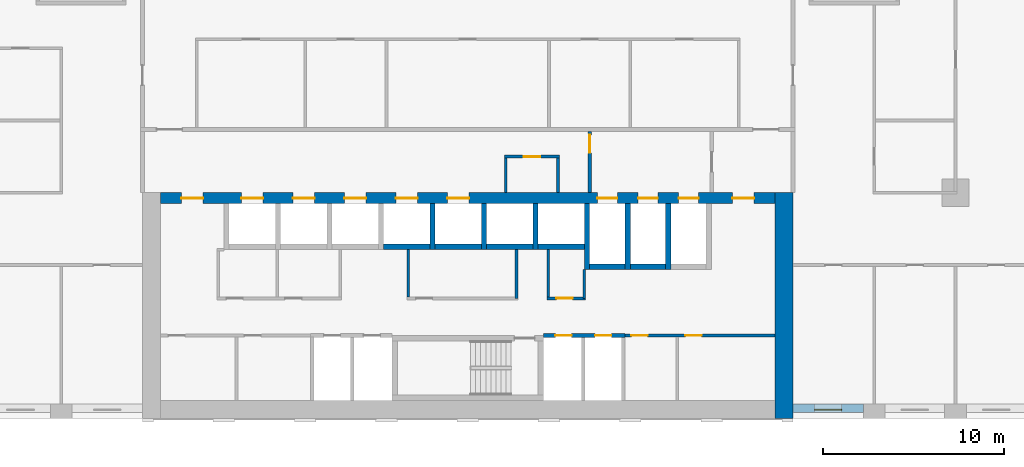
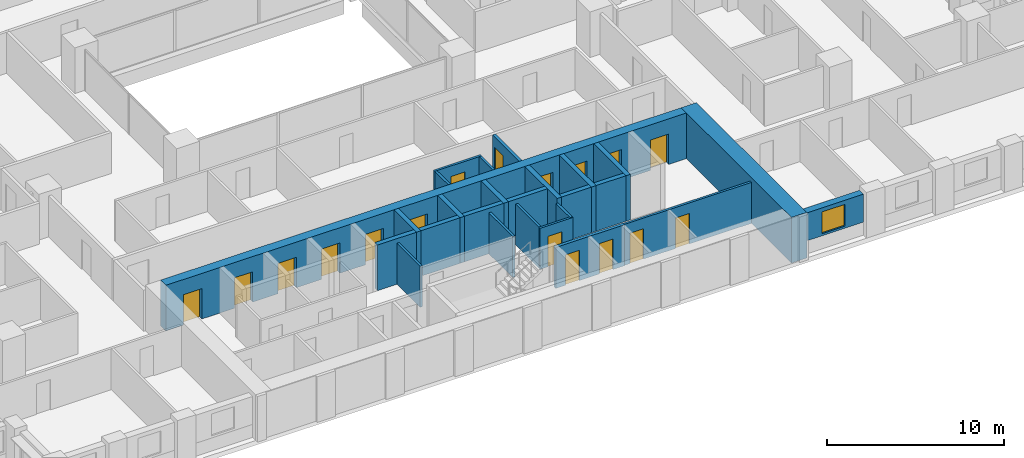
# One storey, part 11 of 20: 26 walls, 17 doors, 1 window, 18 openings.
"""IFC4 building model written with IfcOpenShell, lengths in metres."""

from ifc_helpers import new_model, si_unit, direction, frame, frame_2d, origin, place, context, subcontext, project, spatial, rectangle, extrude, material, layer, layer_set, type_object, element, fill, save


model = new_model("IFC4")

# Units and contexts
model_context = context("Model", 3, precision=1e-05, world=origin(), true_north=direction((0.0, 1.0)))
body_context = subcontext(model_context, "Body", "Model", "MODEL_VIEW")
ifc_project = project(units=[si_unit("LENGTHUNIT", "METRE"), si_unit("AREAUNIT", "SQUARE_METRE"), si_unit("VOLUMEUNIT", "CUBIC_METRE"), si_unit("PLANEANGLEUNIT", "RADIAN"), si_unit("MASSUNIT", "GRAM", prefix="KILO")], contexts=[model_context])

# Site, building, storey
site_placement = place(None, origin())
site = spatial("IfcSite", under=ifc_project, at=site_placement, CompositionType="ELEMENT")
building_placement = place(site_placement, origin())
building = spatial("IfcBuilding", under=site, at=building_placement, Name="Brigalow Station Residences", CompositionType="ELEMENT")
storey_placement = place(building_placement, frame((0.0, 0.0, 44.699951171875)))
storey = spatial("IfcBuildingStorey", under=building, at=storey_placement, Name="L12", CompositionType="ELEMENT", Elevation=44.699951171875)

# Wall, opening, window
ifc_material_1 = material(Name="Clay brick masonry", Category="masonry")
ifc_layer_1 = layer(ifc_material_1, 0.449951171875)
ifc_layer_set_1 = layer_set([ifc_layer_1], Name="BRICK INFILL WALL 450")
wall_type_1 = type_object("IfcWallType", Name="BRICK INFILL WALL 450", PredefinedType="SOLIDWALL", material=ifc_layer_set_1)
wall_1_placement = place(storey_placement, frame((54.0, 0.574951171875, 0.900146484375), z_axis=(0.0, 0.0, 1.0), x_axis=(1.0, 0.0, 0.0)))
wall_1 = element("IfcWall", 1, at=wall_1_placement, inside=storey, type_object=wall_type_1, Name="L12/ewall/W-L12-5", PredefinedType="SOLIDWALL", context=body_context, shape_type="SweptSolid", body=[
    extrude(rectangle(XDim=3.89990234375, YDim=0.449951171875, at=frame_2d((1.949951171875, 0.0))), origin(), (0.0, 0.0, 1.0), 1.929931640625),
])
opening_1_placement = place(wall_1_placement, frame((1.199951171875, 0.0, 0.14990234375)))
opening_1 = element("IfcOpeningElement", 2, at=opening_1_placement, cuts=wall_1, Name="Opening WT-1", PredefinedType="OPENING", context=body_context, shape_type="SweptSolid", body=[
    extrude(rectangle(XDim=1.5, YDim=1.5, at=frame_2d((0.75, 0.75))), frame((0.0, 0.23486328125, 0.0), z_axis=(0.0, -1.0, 0.0), x_axis=(1.0, 0.0, 0.0)), (0.0, 0.0, 1.0), 0.469970703125),
])
ifc_material_2 = material(Name="Anodised aluminium frame with double glazing", Category="aluminium")
window_type = type_object("IfcWindowType", Name="WINDOW 1500x1500", PartitioningType="SINGLE_PANEL", PredefinedType="WINDOW", material=ifc_material_2)
window_placement = place(opening_1_placement, origin())
window = element("IfcWindow", 3, at=window_placement, inside=storey, type_object=window_type, Name="L12/window/W-L12-5", OverallHeight=1.5, OverallWidth=1.5, PartitioningType="SINGLE_PANEL", PredefinedType="WINDOW", context=body_context, shape_type="SweptSolid", body=[
    extrude(rectangle(XDim=1.5, YDim=1.5, at=frame_2d((0.75, 0.75))), frame((0.0, -0.06494140625, 0.0), z_axis=(0.0, -1.0, 0.0), x_axis=(1.0, 0.0, 0.0)), (0.0, 0.0, 1.0), 0.06005859375),
])
fill(opening_1, window)

# Walls
ifc_material_3 = material(Name="Concrete C80", Category="concrete")
ifc_layer_2 = layer(ifc_material_3, 1.0)
ifc_layer_set_2 = layer_set([ifc_layer_2], Name="CORE SHEAR WALL 1000 C80")
wall_type_2 = type_object("IfcWallType", Name="CORE SHEAR WALL 1000 C80", PredefinedType="SHEAR", material=ifc_layer_set_2)
wall_2_placement = place(storey_placement, frame((53.5, 0.0, 0.0), z_axis=(0.0, 0.0, 1.0), x_axis=(0.0, 1.0, 0.0)))
element("IfcWall", 4, at=wall_2_placement, inside=storey, type_object=wall_type_2, Name="CORE WALL OUT-E L12", PredefinedType="SHEAR", context=body_context, shape_type="SweptSolid", body=[
    extrude(rectangle(XDim=12.5, YDim=1.0, at=frame_2d((6.25, 0.0))), origin(), (0.0, 0.0, 1.0), 3.150146484375),
])
ifc_material_4 = material(Name="Concrete C80", Category="concrete")
ifc_layer_3 = layer(ifc_material_4, 0.300048828125)
ifc_layer_set_3 = layer_set([ifc_layer_3], Name="CORE SHEAR WALL 300 C80")
wall_type_3 = type_object("IfcWallType", Name="CORE SHEAR WALL 300 C80", PredefinedType="SHEAR", material=ifc_layer_set_3)
wall_3_placement = place(storey_placement, frame((31.35009765625, 9.5, 0.0), z_axis=(0.0, 0.0, 1.0), x_axis=(1.0, 0.0, 0.0)))
element("IfcWall", 5, at=wall_3_placement, inside=storey, type_object=wall_type_3, Name="CORE WALL SH-P4-S L12", PredefinedType="SHEAR", context=body_context, shape_type="SweptSolid", body=[
    extrude(rectangle(XDim=2.5498046875, YDim=0.300048828125, at=frame_2d((1.27490234375, 0.0))), origin(), (0.0, 0.0, 1.0), 3.150146484375),
])
wall_4_placement = place(storey_placement, frame((34.199951171875, 9.5, 0.0), z_axis=(0.0, 0.0, 1.0), x_axis=(1.0, 0.0, 0.0)))
element("IfcWall", 6, at=wall_4_placement, inside=storey, type_object=wall_type_3, Name="CORE WALL SH-P5-S L12", PredefinedType="SHEAR", context=body_context, shape_type="SweptSolid", body=[
    extrude(rectangle(XDim=2.550048828125, YDim=0.300048828125, at=frame_2d((1.27490234375, 0.0))), origin(), (0.0, 0.0, 1.0), 3.150146484375),
])
wall_5_placement = place(storey_placement, frame((34.050048828125, 9.35009765625, 0.0), z_axis=(0.0, 0.0, 1.0), x_axis=(0.0, 1.0, 0.0)))
element("IfcWall", 7, at=wall_5_placement, inside=storey, type_object=wall_type_3, Name="CORE WALL SH-P5-W L12", PredefinedType="SHEAR", context=body_context, shape_type="SweptSolid", body=[
    extrude(rectangle(XDim=2.5498046875, YDim=0.300048828125, at=frame_2d((1.27490234375, 0.0))), origin(), (0.0, 0.0, 1.0), 3.150146484375),
])
wall_6_placement = place(storey_placement, frame((37.050048828125, 9.5, 0.0), z_axis=(0.0, 0.0, 1.0), x_axis=(1.0, 0.0, 0.0)))
element("IfcWall", 8, at=wall_6_placement, inside=storey, type_object=wall_type_3, Name="CORE WALL SH-X1-S L12", PredefinedType="SHEAR", context=body_context, shape_type="SweptSolid", body=[
    extrude(rectangle(XDim=2.550048828125, YDim=0.300048828125, at=frame_2d((1.27490234375, 0.0))), origin(), (0.0, 0.0, 1.0), 3.150146484375),
])
wall_7_placement = place(storey_placement, frame((36.89990234375, 9.35009765625, 0.0), z_axis=(0.0, 0.0, 1.0), x_axis=(0.0, 1.0, 0.0)))
element("IfcWall", 9, at=wall_7_placement, inside=storey, type_object=wall_type_3, Name="CORE WALL SH-X1-W L12", PredefinedType="SHEAR", context=body_context, shape_type="SweptSolid", body=[
    extrude(rectangle(XDim=2.5498046875, YDim=0.300048828125, at=frame_2d((1.27490234375, 0.0))), origin(), (0.0, 0.0, 1.0), 3.150146484375),
])
wall_8_placement = place(storey_placement, frame((39.89990234375, 9.5, 0.0), z_axis=(0.0, 0.0, 1.0), x_axis=(1.0, 0.0, 0.0)))
element("IfcWall", 10, at=wall_8_placement, inside=storey, type_object=wall_type_3, Name="CORE WALL SH-X2-S L12", PredefinedType="SHEAR", context=body_context, shape_type="SweptSolid", body=[
    extrude(rectangle(XDim=2.550048828125, YDim=0.300048828125, at=frame_2d((1.27490234375, 0.0))), origin(), (0.0, 0.0, 1.0), 3.150146484375),
])
wall_9_placement = place(storey_placement, frame((39.75, 9.35009765625, 0.0), z_axis=(0.0, 0.0, 1.0), x_axis=(0.0, 1.0, 0.0)))
element("IfcWall", 11, at=wall_9_placement, inside=storey, type_object=wall_type_3, Name="CORE WALL SH-X2-W L12", PredefinedType="SHEAR", context=body_context, shape_type="SweptSolid", body=[
    extrude(rectangle(XDim=2.5498046875, YDim=0.300048828125, at=frame_2d((1.27490234375, 0.0))), origin(), (0.0, 0.0, 1.0), 3.150146484375),
])
wall_10_placement = place(storey_placement, frame((42.75, 8.39990234375, 0.0), z_axis=(0.0, 0.0, 1.0), x_axis=(1.0, 0.0, 0.0)))
element("IfcWall", 12, at=wall_10_placement, inside=storey, type_object=wall_type_3, Name="CORE WALL SH-FF1-S L12", PredefinedType="SHEAR", context=body_context, shape_type="SweptSolid", body=[
    extrude(rectangle(XDim=1.949951171875, YDim=0.300048828125, at=frame_2d((0.97509765625, 0.0))), origin(), (0.0, 0.0, 1.0), 3.150146484375),
])
wall_11_placement = place(storey_placement, frame((42.60009765625, 8.25, 0.0), z_axis=(0.0, 0.0, 1.0), x_axis=(0.0, 1.0, 0.0)))
element("IfcWall", 13, at=wall_11_placement, inside=storey, type_object=wall_type_3, Name="CORE WALL SH-FF1-W L12", PredefinedType="SHEAR", context=body_context, shape_type="SweptSolid", body=[
    extrude(rectangle(XDim=3.64990234375, YDim=0.300048828125, at=frame_2d((1.824951171875, 0.0))), origin(), (0.0, 0.0, 1.0), 3.150146484375),
])
wall_12_placement = place(storey_placement, frame((45.0, 8.39990234375, 0.0), z_axis=(0.0, 0.0, 1.0), x_axis=(1.0, 0.0, 0.0)))
element("IfcWall", 14, at=wall_12_placement, inside=storey, type_object=wall_type_3, Name="CORE WALL SH-FF2-S L12", PredefinedType="SHEAR", context=body_context, shape_type="SweptSolid", body=[
    extrude(rectangle(XDim=1.949951171875, YDim=0.300048828125, at=frame_2d((0.97509765625, 0.0))), origin(), (0.0, 0.0, 1.0), 3.150146484375),
])
for number, where, z_axis, x_axis, name in (
    (15, (44.85009765625, 8.25, 0.0), (0.0, 0.0, 1.0), (0.0, 1.0, 0.0), "CORE WALL SH-FF2-W L12"),
    (16, (47.10009765625, 8.25, 0.0), (0.0, 0.0, 1.0), (0.0, 1.0, 0.0), "CORE WALL SH-SL1-W L12"),
):
    element("IfcWall", number, at=place(storey_placement, frame(where, z_axis=z_axis, x_axis=x_axis)), inside=storey, type_object=wall_type_3, Name=name, PredefinedType="SHEAR", context=body_context, shape_type="SweptSolid", body=[
        extrude(rectangle(XDim=3.64990234375, YDim=0.300048828125, at=frame_2d((1.824951171875, 0.0))), origin(), (0.0, 0.0, 1.0), 3.150146484375),
    ])

# Wall, openings, doors
ifc_material_5 = material(Name="Concrete C80", Category="concrete")
ifc_layer_4 = layer(ifc_material_5, 0.60009765625)
ifc_layer_set_4 = layer_set([ifc_layer_4], Name="CORE SHEAR WALL 600 C80")
wall_type_4 = type_object("IfcWallType", Name="CORE SHEAR WALL 600 C80", PredefinedType="SHEAR", material=ifc_layer_set_4)
wall_13_placement = place(storey_placement, frame((19.0, 12.199951171875, 0.0), z_axis=(0.0, 0.0, 1.0), x_axis=(1.0, 0.0, 0.0)))
wall_13 = element("IfcWall", 17, at=wall_13_placement, inside=storey, type_object=wall_type_4, Name="CORE WALL OUT-N L12", PredefinedType="SHEAR", context=body_context, shape_type="SweptSolid", body=[
    extrude(rectangle(XDim=34.0, YDim=0.60009765625, at=frame_2d((17.0, 0.0))), origin(), (0.0, 0.0, 1.0), 3.150146484375),
])
opening_2_placement = place(wall_13_placement, frame((4.47509765625, 0.0, 0.0)))
opening_2 = element("IfcOpeningElement", 18, at=opening_2_placement, cuts=wall_13, Name="Opening LD-LA1", PredefinedType="OPENING", context=body_context, shape_type="SweptSolid", body=[
    extrude(rectangle(XDim=1.199951171875, YDim=2.10009765625, at=frame_2d((0.60009765625, 1.050048828125))), frame((0.0, 0.31005859375, 0.0), z_axis=(0.0, -1.0, 0.0), x_axis=(1.0, 0.0, 0.0)), (0.0, 0.0, 1.0), 0.6201171875),
])
opening_3_placement = place(wall_13_placement, frame((7.324951171875, 0.0, 0.0)))
opening_3 = element("IfcOpeningElement", 19, at=opening_3_placement, cuts=wall_13, Name="Opening LD-LA2", PredefinedType="OPENING", context=body_context, shape_type="SweptSolid", body=[
    extrude(rectangle(XDim=1.199951171875, YDim=2.10009765625, at=frame_2d((0.60009765625, 1.050048828125))), frame((0.0, 0.31005859375, 0.0), z_axis=(0.0, -1.0, 0.0), x_axis=(1.0, 0.0, 0.0)), (0.0, 0.0, 1.0), 0.6201171875),
])
opening_4_placement = place(wall_13_placement, frame((10.175048828125, 0.0, 0.0)))
opening_4 = element("IfcOpeningElement", 20, at=opening_4_placement, cuts=wall_13, Name="Opening LD-LA3", PredefinedType="OPENING", context=body_context, shape_type="SweptSolid", body=[
    extrude(rectangle(XDim=1.199951171875, YDim=2.10009765625, at=frame_2d((0.60009765625, 1.050048828125))), frame((0.0, 0.31005859375, 0.0), z_axis=(0.0, -1.0, 0.0), x_axis=(1.0, 0.0, 0.0)), (0.0, 0.0, 1.0), 0.6201171875),
])
opening_5_placement = place(wall_13_placement, frame((13.02490234375, 0.0, 0.0)))
opening_5 = element("IfcOpeningElement", 21, at=opening_5_placement, cuts=wall_13, Name="Opening LD-LA4", PredefinedType="OPENING", context=body_context, shape_type="SweptSolid", body=[
    extrude(rectangle(XDim=1.199951171875, YDim=2.10009765625, at=frame_2d((0.60009765625, 1.050048828125))), frame((0.0, 0.31005859375, 0.0), z_axis=(0.0, -1.0, 0.0), x_axis=(1.0, 0.0, 0.0)), (0.0, 0.0, 1.0), 0.6201171875),
])
opening_6_placement = place(wall_13_placement, frame((15.875, 0.0, 0.0)))
opening_6 = element("IfcOpeningElement", 22, at=opening_6_placement, cuts=wall_13, Name="Opening LD-LA5", PredefinedType="OPENING", context=body_context, shape_type="SweptSolid", body=[
    extrude(rectangle(XDim=1.199951171875, YDim=2.10009765625, at=frame_2d((0.60009765625, 1.050048828125))), frame((0.0, 0.31005859375, 0.0), z_axis=(0.0, -1.0, 0.0), x_axis=(1.0, 0.0, 0.0)), (0.0, 0.0, 1.0), 0.6201171875),
])
opening_7_placement = place(wall_13_placement, frame((24.175048828125, 0.0, 0.0)))
opening_7 = element("IfcOpeningElement", 23, at=opening_7_placement, cuts=wall_13, Name="Opening LD-LF1", PredefinedType="OPENING", context=body_context, shape_type="SweptSolid", body=[
    extrude(rectangle(XDim=1.10009765625, YDim=2.10009765625, at=frame_2d((0.550048828125, 1.050048828125))), frame((0.0, 0.31005859375, 0.0), z_axis=(0.0, -1.0, 0.0), x_axis=(1.0, 0.0, 0.0)), (0.0, 0.0, 1.0), 0.6201171875),
])
opening_8_placement = place(wall_13_placement, frame((26.425048828125, 0.0, 0.0)))
opening_8 = element("IfcOpeningElement", 24, at=opening_8_placement, cuts=wall_13, Name="Opening LD-LF2", PredefinedType="OPENING", context=body_context, shape_type="SweptSolid", body=[
    extrude(rectangle(XDim=1.10009765625, YDim=2.10009765625, at=frame_2d((0.550048828125, 1.050048828125))), frame((0.0, 0.31005859375, 0.0), z_axis=(0.0, -1.0, 0.0), x_axis=(1.0, 0.0, 0.0)), (0.0, 0.0, 1.0), 0.6201171875),
])
opening_9_placement = place(wall_13_placement, frame((28.675048828125, 0.0, 0.0)))
opening_9 = element("IfcOpeningElement", 25, at=opening_9_placement, cuts=wall_13, Name="Opening LD-LG1", PredefinedType="OPENING", context=body_context, shape_type="SweptSolid", body=[
    extrude(rectangle(XDim=1.10009765625, YDim=2.10009765625, at=frame_2d((0.550048828125, 1.050048828125))), frame((0.0, 0.31005859375, 0.0), z_axis=(0.0, -1.0, 0.0), x_axis=(1.0, 0.0, 0.0)), (0.0, 0.0, 1.0), 0.6201171875),
])
opening_10_placement = place(wall_13_placement, frame((1.14990234375, 0.0, 0.0)))
opening_10 = element("IfcOpeningElement", 26, at=opening_10_placement, cuts=wall_13, Name="Opening D-5011", PredefinedType="OPENING", context=body_context, shape_type="SweptSolid", body=[
    extrude(rectangle(XDim=1.199951171875, YDim=2.10009765625, at=frame_2d((0.60009765625, 1.050048828125))), frame((0.0, 0.31005859375, 0.0), z_axis=(0.0, -1.0, 0.0), x_axis=(1.0, 0.0, 0.0)), (0.0, 0.0, 1.0), 0.6201171875),
])
opening_11_placement = place(wall_13_placement, frame((31.64990234375, 0.0, 0.0)))
opening_11 = element("IfcOpeningElement", 27, at=opening_11_placement, cuts=wall_13, Name="Opening D-5012", PredefinedType="OPENING", context=body_context, shape_type="SweptSolid", body=[
    extrude(rectangle(XDim=1.199951171875, YDim=2.10009765625, at=frame_2d((0.60009765625, 1.050048828125))), frame((0.0, 0.31005859375, 0.0), z_axis=(0.0, -1.0, 0.0), x_axis=(1.0, 0.0, 0.0)), (0.0, 0.0, 1.0), 0.6201171875),
])
ifc_material_6 = material(Name="Steel fire door leaf in steel frame", Category="steel")
door_type_1 = type_object("IfcDoorType", Name="CORE CORRIDOR DOOR 1200 x 2100 FD60S", OperationType="SINGLE_SWING_LEFT", PredefinedType="DOOR", material=ifc_material_6)
door_1_placement = place(opening_10_placement, frame((1.199951171875, 0.0, 0.0), z_axis=(0.0, 0.0, 1.0), x_axis=(-1.0, 0.0, 0.0)))
door_1 = element("IfcDoor", 28, at=door_1_placement, inside=storey, type_object=door_type_1, Name="D-5011", OperationType="SINGLE_SWING_LEFT", OverallHeight=2.10009765625, OverallWidth=1.199951171875, PredefinedType="DOOR", context=body_context, shape_type="SweptSolid", body=[
    extrude(rectangle(XDim=1.199951171875, YDim=2.10009765625, at=frame_2d((0.60009765625, 1.050048828125))), frame((0.0, 0.02490234375, 0.0), z_axis=(0.0, -1.0, 0.0), x_axis=(1.0, 0.0, 0.0)), (0.0, 0.0, 1.0), 0.050048828125),
])
fill(opening_10, door_1)
door_2_placement = place(opening_11_placement, frame((1.199951171875, 0.0, 0.0), z_axis=(0.0, 0.0, 1.0), x_axis=(-1.0, 0.0, 0.0)))
door_2 = element("IfcDoor", 29, at=door_2_placement, inside=storey, type_object=door_type_1, Name="D-5012", OperationType="SINGLE_SWING_RIGHT", OverallHeight=2.10009765625, OverallWidth=1.199951171875, PredefinedType="DOOR", context=body_context, shape_type="SweptSolid", body=[
    extrude(rectangle(XDim=1.199951171875, YDim=2.10009765625, at=frame_2d((0.60009765625, 1.050048828125))), frame((0.0, 0.02490234375, 0.0), z_axis=(0.0, -1.0, 0.0), x_axis=(1.0, 0.0, 0.0)), (0.0, 0.0, 1.0), 0.050048828125),
])
fill(opening_11, door_2)
ifc_material_7 = material(Name="Stainless steel sliding door leaves", Category="steel")
door_type_2 = type_object("IfcDoorType", Name="LIFT LANDING DOOR 1100 x 2100", OperationType="DOUBLE_DOOR_SLIDING", PredefinedType="DOOR", material=ifc_material_7)
door_3_placement = place(opening_7_placement, origin())
door_3 = element("IfcDoor", 30, at=door_3_placement, inside=storey, type_object=door_type_2, Name="LANDING DOOR LF1", OperationType="DOUBLE_DOOR_SLIDING", OverallHeight=2.10009765625, OverallWidth=1.10009765625, PredefinedType="DOOR", context=body_context, shape_type="SweptSolid", body=[
    extrude(rectangle(XDim=1.10009765625, YDim=2.10009765625, at=frame_2d((0.550048828125, 1.050048828125))), frame((0.0, 0.02490234375, 0.0), z_axis=(0.0, -1.0, 0.0), x_axis=(1.0, 0.0, 0.0)), (0.0, 0.0, 1.0), 0.050048828125),
])
fill(opening_7, door_3)
door_4_placement = place(opening_8_placement, origin())
door_4 = element("IfcDoor", 31, at=door_4_placement, inside=storey, type_object=door_type_2, Name="LANDING DOOR LF2", OperationType="DOUBLE_DOOR_SLIDING", OverallHeight=2.10009765625, OverallWidth=1.10009765625, PredefinedType="DOOR", context=body_context, shape_type="SweptSolid", body=[
    extrude(rectangle(XDim=1.10009765625, YDim=2.10009765625, at=frame_2d((0.550048828125, 1.050048828125))), frame((0.0, 0.02490234375, 0.0), z_axis=(0.0, -1.0, 0.0), x_axis=(1.0, 0.0, 0.0)), (0.0, 0.0, 1.0), 0.050048828125),
])
fill(opening_8, door_4)
door_5_placement = place(opening_9_placement, origin())
door_5 = element("IfcDoor", 32, at=door_5_placement, inside=storey, type_object=door_type_2, Name="LANDING DOOR LG1", OperationType="DOUBLE_DOOR_SLIDING", OverallHeight=2.10009765625, OverallWidth=1.10009765625, PredefinedType="DOOR", context=body_context, shape_type="SweptSolid", body=[
    extrude(rectangle(XDim=1.10009765625, YDim=2.10009765625, at=frame_2d((0.550048828125, 1.050048828125))), frame((0.0, 0.02490234375, 0.0), z_axis=(0.0, -1.0, 0.0), x_axis=(1.0, 0.0, 0.0)), (0.0, 0.0, 1.0), 0.050048828125),
])
fill(opening_9, door_5)
ifc_material_8 = material(Name="Stainless steel sliding door leaves", Category="steel")
door_type_3 = type_object("IfcDoorType", Name="LIFT LANDING DOOR 1200 x 2100", OperationType="DOUBLE_DOOR_SLIDING", PredefinedType="DOOR", material=ifc_material_8)
door_6_placement = place(opening_2_placement, origin())
door_6 = element("IfcDoor", 33, at=door_6_placement, inside=storey, type_object=door_type_3, Name="LANDING DOOR LA1", OperationType="DOUBLE_DOOR_SLIDING", OverallHeight=2.10009765625, OverallWidth=1.199951171875, PredefinedType="DOOR", context=body_context, shape_type="SweptSolid", body=[
    extrude(rectangle(XDim=1.199951171875, YDim=2.10009765625, at=frame_2d((0.60009765625, 1.050048828125))), frame((0.0, 0.02490234375, 0.0), z_axis=(0.0, -1.0, 0.0), x_axis=(1.0, 0.0, 0.0)), (0.0, 0.0, 1.0), 0.050048828125),
])
fill(opening_2, door_6)
door_7_placement = place(opening_3_placement, origin())
door_7 = element("IfcDoor", 34, at=door_7_placement, inside=storey, type_object=door_type_3, Name="LANDING DOOR LA2", OperationType="DOUBLE_DOOR_SLIDING", OverallHeight=2.10009765625, OverallWidth=1.199951171875, PredefinedType="DOOR", context=body_context, shape_type="SweptSolid", body=[
    extrude(rectangle(XDim=1.199951171875, YDim=2.10009765625, at=frame_2d((0.60009765625, 1.050048828125))), frame((0.0, 0.02490234375, 0.0), z_axis=(0.0, -1.0, 0.0), x_axis=(1.0, 0.0, 0.0)), (0.0, 0.0, 1.0), 0.050048828125),
])
fill(opening_3, door_7)
door_8_placement = place(opening_4_placement, origin())
door_8 = element("IfcDoor", 35, at=door_8_placement, inside=storey, type_object=door_type_3, Name="LANDING DOOR LA3", OperationType="DOUBLE_DOOR_SLIDING", OverallHeight=2.10009765625, OverallWidth=1.199951171875, PredefinedType="DOOR", context=body_context, shape_type="SweptSolid", body=[
    extrude(rectangle(XDim=1.199951171875, YDim=2.10009765625, at=frame_2d((0.60009765625, 1.050048828125))), frame((0.0, 0.02490234375, 0.0), z_axis=(0.0, -1.0, 0.0), x_axis=(1.0, 0.0, 0.0)), (0.0, 0.0, 1.0), 0.050048828125),
])
fill(opening_4, door_8)
door_9_placement = place(opening_5_placement, origin())
door_9 = element("IfcDoor", 36, at=door_9_placement, inside=storey, type_object=door_type_3, Name="LANDING DOOR LA4", OperationType="DOUBLE_DOOR_SLIDING", OverallHeight=2.10009765625, OverallWidth=1.199951171875, PredefinedType="DOOR", context=body_context, shape_type="SweptSolid", body=[
    extrude(rectangle(XDim=1.199951171875, YDim=2.10009765625, at=frame_2d((0.60009765625, 1.050048828125))), frame((0.0, 0.02490234375, 0.0), z_axis=(0.0, -1.0, 0.0), x_axis=(1.0, 0.0, 0.0)), (0.0, 0.0, 1.0), 0.050048828125),
])
fill(opening_5, door_9)
door_10_placement = place(opening_6_placement, origin())
door_10 = element("IfcDoor", 37, at=door_10_placement, inside=storey, type_object=door_type_3, Name="LANDING DOOR LA5", OperationType="DOUBLE_DOOR_SLIDING", OverallHeight=2.10009765625, OverallWidth=1.199951171875, PredefinedType="DOOR", context=body_context, shape_type="SweptSolid", body=[
    extrude(rectangle(XDim=1.199951171875, YDim=2.10009765625, at=frame_2d((0.60009765625, 1.050048828125))), frame((0.0, 0.02490234375, 0.0), z_axis=(0.0, -1.0, 0.0), x_axis=(1.0, 0.0, 0.0)), (0.0, 0.0, 1.0), 0.050048828125),
])
fill(opening_6, door_10)

ifc_material_9 = material(Name="Concrete blockwork", Category="masonry")
ifc_layer_5 = layer(ifc_material_9, 0.199951171875)
ifc_layer_set_5 = layer_set([ifc_layer_5], Name="FIRE RATED CORE PARTITION 200")
wall_type_5 = type_object("IfcWallType", Name="FIRE RATED CORE PARTITION 200", PredefinedType="PARTITIONING", material=ifc_layer_set_5)
wall_14_placement = place(storey_placement, frame((40.199951171875, 4.60009765625, 0.0), z_axis=(0.0, 0.0, 1.0), x_axis=(1.0, 0.0, 0.0)))
wall_14 = element("IfcWall", 38, at=wall_14_placement, inside=storey, type_object=wall_type_5, Name="PW-5018", PredefinedType="PARTITIONING", context=body_context, shape_type="SweptSolid", body=[
    extrude(rectangle(XDim=4.5, YDim=0.199951171875, at=frame_2d((2.25, 0.0))), origin(), (0.0, 0.0, 1.0), 2.830078125),
])
opening_12_placement = place(wall_14_placement, frame((0.64990234375, 0.0, 0.0)))
opening_12 = element("IfcOpeningElement", 39, at=opening_12_placement, cuts=wall_14, Name="Opening D-5009", PredefinedType="OPENING", context=body_context, shape_type="SweptSolid", body=[
    extrude(rectangle(XDim=0.89990234375, YDim=2.10009765625, at=frame_2d((0.449951171875, 1.050048828125))), frame((0.0, 0.10986328125, 0.0), z_axis=(0.0, -1.0, 0.0), x_axis=(1.0, 0.0, 0.0)), (0.0, 0.0, 1.0), 0.219970703125),
])
opening_13_placement = place(wall_14_placement, frame((2.85009765625, 0.0, 0.0)))
opening_13 = element("IfcOpeningElement", 40, at=opening_13_placement, cuts=wall_14, Name="Opening D-5010", PredefinedType="OPENING", context=body_context, shape_type="SweptSolid", body=[
    extrude(rectangle(XDim=0.89990234375, YDim=2.10009765625, at=frame_2d((0.449951171875, 1.050048828125))), frame((0.0, 0.10986328125, 0.0), z_axis=(0.0, -1.0, 0.0), x_axis=(1.0, 0.0, 0.0)), (0.0, 0.0, 1.0), 0.219970703125),
])
ifc_material_10 = material(Name="Steel fire door leaf in steel frame", Category="steel")
door_type_4 = type_object("IfcDoorType", Name="RISER ACCESS DOOR 900 x 2100 FD120", OperationType="SINGLE_SWING_LEFT", PredefinedType="DOOR", material=ifc_material_10)
door_11_placement = place(opening_12_placement, frame((0.89990234375, 0.0, 0.0), z_axis=(0.0, 0.0, 1.0), x_axis=(-1.0, 0.0, 0.0)))
door_11 = element("IfcDoor", 41, at=door_11_placement, inside=storey, type_object=door_type_4, Name="D-5009", OperationType="SINGLE_SWING_LEFT", OverallHeight=2.10009765625, OverallWidth=0.89990234375, PredefinedType="DOOR", context=body_context, shape_type="SweptSolid", body=[
    extrude(rectangle(XDim=0.89990234375, YDim=2.10009765625, at=frame_2d((0.449951171875, 1.050048828125))), frame((0.0, 0.02490234375, 0.0), z_axis=(0.0, -1.0, 0.0), x_axis=(1.0, 0.0, 0.0)), (0.0, 0.0, 1.0), 0.050048828125),
])
fill(opening_12, door_11)
door_12_placement = place(opening_13_placement, frame((0.89990234375, 0.0, 0.0), z_axis=(0.0, 0.0, 1.0), x_axis=(-1.0, 0.0, 0.0)))
door_12 = element("IfcDoor", 42, at=door_12_placement, inside=storey, type_object=door_type_4, Name="D-5010", OperationType="SINGLE_SWING_LEFT", OverallHeight=2.10009765625, OverallWidth=0.89990234375, PredefinedType="DOOR", context=body_context, shape_type="SweptSolid", body=[
    extrude(rectangle(XDim=0.89990234375, YDim=2.10009765625, at=frame_2d((0.449951171875, 1.050048828125))), frame((0.0, 0.02490234375, 0.0), z_axis=(0.0, -1.0, 0.0), x_axis=(1.0, 0.0, 0.0)), (0.0, 0.0, 1.0), 0.050048828125),
])
fill(opening_13, door_12)

# Wall, opening, door
wall_15_placement = place(storey_placement, frame((42.75, 12.5, 0.0), z_axis=(0.0, 0.0, 1.0), x_axis=(0.0, 1.0, 0.0)))
wall_15 = element("IfcWall", 43, at=wall_15_placement, inside=storey, type_object=wall_type_5, Name="PW-5014", PredefinedType="PARTITIONING", context=body_context, shape_type="SweptSolid", body=[
    extrude(rectangle(XDim=3.39990234375, YDim=0.199951171875, at=frame_2d((1.699951171875, 0.0))), origin(), (0.0, 0.0, 1.0), 2.830078125),
])
opening_14_placement = place(wall_15_placement, frame((2.199951171875, 0.0, 0.0)))
opening_14 = element("IfcOpeningElement", 44, at=opening_14_placement, cuts=wall_15, Name="Opening D-5013", PredefinedType="OPENING", context=body_context, shape_type="SweptSolid", body=[
    extrude(rectangle(XDim=1.0, YDim=2.10009765625, at=frame_2d((0.5, 1.050048828125))), frame((0.0, 0.10986328125, 0.0), z_axis=(0.0, -1.0, 0.0), x_axis=(1.0, 0.0, 0.0)), (0.0, 0.0, 1.0), 0.219970703125),
])
ifc_material_11 = material(Name="Steel fire door leaf in steel frame", Category="steel")
door_type_5 = type_object("IfcDoorType", Name="LOBBY DOOR 1000 x 2100 FD60S", OperationType="SINGLE_SWING_LEFT", PredefinedType="DOOR", material=ifc_material_11)
door_13_placement = place(opening_14_placement, origin())
door_13 = element("IfcDoor", 45, at=door_13_placement, inside=storey, type_object=door_type_5, Name="D-5013", OperationType="SINGLE_SWING_RIGHT", OverallHeight=2.10009765625, OverallWidth=1.0, PredefinedType="DOOR", context=body_context, shape_type="SweptSolid", body=[
    extrude(rectangle(XDim=1.0, YDim=2.10009765625, at=frame_2d((0.5, 1.050048828125))), frame((0.0, 0.02490234375, 0.0), z_axis=(0.0, -1.0, 0.0), x_axis=(1.0, 0.0, 0.0)), (0.0, 0.0, 1.0), 0.050048828125),
])
fill(opening_14, door_13)

# Wall, openings, doors
ifc_material_12 = material(Name="Plasterboard on steel studs", Category="steel")
ifc_layer_6 = layer(ifc_material_12, 0.14990234375)
ifc_layer_set_6 = layer_set([ifc_layer_6], Name="SERVICE ROOM PARTITION 150")
wall_type_6 = type_object("IfcWallType", Name="SERVICE ROOM PARTITION 150", PredefinedType="PARTITIONING", material=ifc_layer_set_6)
wall_16_placement = place(storey_placement, frame((44.699951171875, 4.60009765625, 0.0), z_axis=(0.0, 0.0, 1.0), x_axis=(1.0, 0.0, 0.0)))
wall_16 = element("IfcWall", 46, at=wall_16_placement, inside=storey, type_object=wall_type_6, Name="PW-5020", PredefinedType="PARTITIONING", context=body_context, shape_type="SweptSolid", body=[
    extrude(rectangle(XDim=8.300048828125, YDim=0.14990234375, at=frame_2d((4.14990234375, 0.0))), origin(), (0.0, 0.0, 1.0), 2.830078125),
])
opening_15_placement = place(wall_16_placement, frame((0.35009765625, 0.0, 0.0)))
opening_15 = element("IfcOpeningElement", 47, at=opening_15_placement, cuts=wall_16, Name="Opening D-5026", PredefinedType="OPENING", context=body_context, shape_type="SweptSolid", body=[
    extrude(rectangle(XDim=0.89990234375, YDim=2.10009765625, at=frame_2d((0.449951171875, 1.050048828125))), frame((0.0, 0.0849609375, 0.0), z_axis=(0.0, -1.0, 0.0), x_axis=(1.0, 0.0, 0.0)), (0.0, 0.0, 1.0), 0.169921875),
])
opening_16_placement = place(wall_16_placement, frame((3.35009765625, 0.0, 0.0)))
opening_16 = element("IfcOpeningElement", 48, at=opening_16_placement, cuts=wall_16, Name="Opening D-5075", PredefinedType="OPENING", context=body_context, shape_type="SweptSolid", body=[
    extrude(rectangle(XDim=0.89990234375, YDim=2.10009765625, at=frame_2d((0.449951171875, 1.050048828125))), frame((0.0, 0.0849609375, 0.0), z_axis=(0.0, -1.0, 0.0), x_axis=(1.0, 0.0, 0.0)), (0.0, 0.0, 1.0), 0.169921875),
])
ifc_material_13 = material(Name="Steel door leaf in steel frame", Category="steel")
door_type_6 = type_object("IfcDoorType", Name="SERVICE ROOM DOOR 900 x 2100 FD60", OperationType="SINGLE_SWING_LEFT", PredefinedType="DOOR", material=ifc_material_13)
door_14_placement = place(opening_15_placement, frame((0.89990234375, 0.0, 0.0), z_axis=(0.0, 0.0, 1.0), x_axis=(-1.0, 0.0, 0.0)))
door_14 = element("IfcDoor", 49, at=door_14_placement, inside=storey, type_object=door_type_6, Name="D-5026", OperationType="SINGLE_SWING_RIGHT", OverallHeight=2.10009765625, OverallWidth=0.89990234375, PredefinedType="DOOR", context=body_context, shape_type="SweptSolid", body=[
    extrude(rectangle(XDim=0.89990234375, YDim=2.10009765625, at=frame_2d((0.449951171875, 1.050048828125))), frame((0.0, 0.02490234375, 0.0), z_axis=(0.0, -1.0, 0.0), x_axis=(1.0, 0.0, 0.0)), (0.0, 0.0, 1.0), 0.050048828125),
])
fill(opening_15, door_14)
door_15_placement = place(opening_16_placement, frame((0.89990234375, 0.0, 0.0), z_axis=(0.0, 0.0, 1.0), x_axis=(-1.0, 0.0, 0.0)))
door_15 = element("IfcDoor", 50, at=door_15_placement, inside=storey, type_object=door_type_6, Name="D-5075", OperationType="SINGLE_SWING_RIGHT", OverallHeight=2.10009765625, OverallWidth=0.89990234375, PredefinedType="DOOR", context=body_context, shape_type="SweptSolid", body=[
    extrude(rectangle(XDim=0.89990234375, YDim=2.10009765625, at=frame_2d((0.449951171875, 1.050048828125))), frame((0.0, 0.02490234375, 0.0), z_axis=(0.0, -1.0, 0.0), x_axis=(1.0, 0.0, 0.0)), (0.0, 0.0, 1.0), 0.050048828125),
])
fill(opening_16, door_15)

# Wall, opening, door
wall_17_placement = place(storey_placement, frame((40.375, 6.64990234375, 0.0), z_axis=(0.0, 0.0, 1.0), x_axis=(1.0, 0.0, 0.0)))
wall_17 = element("IfcWall", 51, at=wall_17_placement, inside=storey, type_object=wall_type_6, Name="PW-5128", PredefinedType="PARTITIONING", context=body_context, shape_type="SweptSolid", body=[
    extrude(rectangle(XDim=2.14990234375, YDim=0.14990234375, at=frame_2d((1.074951171875, 0.0))), origin(), (0.0, 0.0, 1.0), 2.830078125),
])
opening_17_placement = place(wall_17_placement, frame((0.52490234375, 0.0, 0.0)))
opening_17 = element("IfcOpeningElement", 52, at=opening_17_placement, cuts=wall_17, Name="Opening D-5034", PredefinedType="OPENING", context=body_context, shape_type="SweptSolid", body=[
    extrude(rectangle(XDim=0.89990234375, YDim=2.10009765625, at=frame_2d((0.449951171875, 1.050048828125))), frame((0.0, 0.0849609375, 0.0), z_axis=(0.0, -1.0, 0.0), x_axis=(1.0, 0.0, 0.0)), (0.0, 0.0, 1.0), 0.169921875),
])
door_16_placement = place(opening_17_placement, origin())
door_16 = element("IfcDoor", 53, at=door_16_placement, inside=storey, type_object=door_type_6, Name="D-5034", OperationType="SINGLE_SWING_LEFT", OverallHeight=2.10009765625, OverallWidth=0.89990234375, PredefinedType="DOOR", context=body_context, shape_type="SweptSolid", body=[
    extrude(rectangle(XDim=0.89990234375, YDim=2.10009765625, at=frame_2d((0.449951171875, 1.050048828125))), frame((0.0, 0.02490234375, 0.0), z_axis=(0.0, -1.0, 0.0), x_axis=(1.0, 0.0, 0.0)), (0.0, 0.0, 1.0), 0.050048828125),
])
fill(opening_17, door_16)

wall_18_placement = place(storey_placement, frame((38.02490234375, 14.5, 0.0), z_axis=(0.0, 0.0, 1.0), x_axis=(1.0, 0.0, 0.0)))
wall_18 = element("IfcWall", 54, at=wall_18_placement, inside=storey, type_object=wall_type_6, Name="PW-5138", PredefinedType="PARTITIONING", context=body_context, shape_type="SweptSolid", body=[
    extrude(rectangle(XDim=3.050048828125, YDim=0.14990234375, at=frame_2d((1.52490234375, 0.0))), origin(), (0.0, 0.0, 1.0), 2.830078125),
])
opening_18_placement = place(wall_18_placement, frame((1.074951171875, 0.0, 0.0)))
opening_18 = element("IfcOpeningElement", 55, at=opening_18_placement, cuts=wall_18, Name="Opening D-5079", PredefinedType="OPENING", context=body_context, shape_type="SweptSolid", body=[
    extrude(rectangle(XDim=0.89990234375, YDim=2.10009765625, at=frame_2d((0.449951171875, 1.050048828125))), frame((0.0, 0.0849609375, 0.0), z_axis=(0.0, -1.0, 0.0), x_axis=(1.0, 0.0, 0.0)), (0.0, 0.0, 1.0), 0.169921875),
])
door_17_placement = place(opening_18_placement, frame((0.89990234375, 0.0, 0.0), z_axis=(0.0, 0.0, 1.0), x_axis=(-1.0, 0.0, 0.0)))
door_17 = element("IfcDoor", 56, at=door_17_placement, inside=storey, type_object=door_type_6, Name="D-5079", OperationType="SINGLE_SWING_RIGHT", OverallHeight=2.10009765625, OverallWidth=0.89990234375, PredefinedType="DOOR", context=body_context, shape_type="SweptSolid", body=[
    extrude(rectangle(XDim=0.89990234375, YDim=2.10009765625, at=frame_2d((0.449951171875, 1.050048828125))), frame((0.0, 0.02490234375, 0.0), z_axis=(0.0, -1.0, 0.0), x_axis=(1.0, 0.0, 0.0)), (0.0, 0.0, 1.0), 0.050048828125),
])
fill(opening_18, door_17)

# Walls
wall_19_placement = place(storey_placement, frame((38.699951171875, 6.64990234375, 0.0), z_axis=(0.0, 0.0, 1.0), x_axis=(0.0, 1.0, 0.0)))
element("IfcWall", 57, at=wall_19_placement, inside=storey, type_object=wall_type_6, Name="PW-5132", PredefinedType="PARTITIONING", context=body_context, shape_type="SweptSolid", body=[
    extrude(rectangle(XDim=2.7001953125, YDim=0.14990234375, at=frame_2d((1.35009765625, 0.0))), origin(), (0.0, 0.0, 1.0), 2.830078125),
])
wall_20_placement = place(storey_placement, frame((42.449951171875, 6.64990234375, 0.0), z_axis=(0.0, 0.0, 1.0), x_axis=(0.0, 1.0, 0.0)))
element("IfcWall", 58, at=wall_20_placement, inside=storey, type_object=wall_type_6, Name="PW-5029", PredefinedType="PARTITIONING", context=body_context, shape_type="SweptSolid", body=[
    extrude(rectangle(XDim=1.60009765625, YDim=0.14990234375, at=frame_2d((0.800048828125, 0.0))), origin(), (0.0, 0.0, 1.0), 2.830078125),
])
for number, where, z_axis, x_axis, name in (
    (59, (32.699951171875, 6.72509765625, 0.0), (0.0, 0.0, 1.0), (0.0, 1.0, 0.0), "PW-5135"),
    (60, (40.449951171875, 6.72509765625, 0.0), (0.0, 0.0, 1.0), (0.0, 1.0, 0.0), "PW-5044"),
):
    element("IfcWall", number, at=place(storey_placement, frame(where, z_axis=z_axis, x_axis=x_axis)), inside=storey, type_object=wall_type_6, Name=name, PredefinedType="PARTITIONING", context=body_context, shape_type="SweptSolid", body=[
        extrude(rectangle(XDim=2.625, YDim=0.14990234375, at=frame_2d((1.3125, 0.0))), origin(), (0.0, 0.0, 1.0), 2.830078125),
    ])
for number, where, z_axis, x_axis, name in (
    (61, (38.10009765625, 12.5, 0.0), (0.0, 0.0, 1.0), (0.0, 1.0, 0.0), "PW-5139"),
    (62, (41.0, 12.5, 0.0), (0.0, 0.0, 1.0), (0.0, 1.0, 0.0), "PW-5140"),
):
    element("IfcWall", number, at=place(storey_placement, frame(where, z_axis=z_axis, x_axis=x_axis)), inside=storey, type_object=wall_type_6, Name=name, PredefinedType="PARTITIONING", context=body_context, shape_type="SweptSolid", body=[
        extrude(rectangle(XDim=1.925048828125, YDim=0.14990234375, at=frame_2d((0.96240234375, 0.0))), origin(), (0.0, 0.0, 1.0), 2.830078125),
    ])

save(model, "model.ifc")
